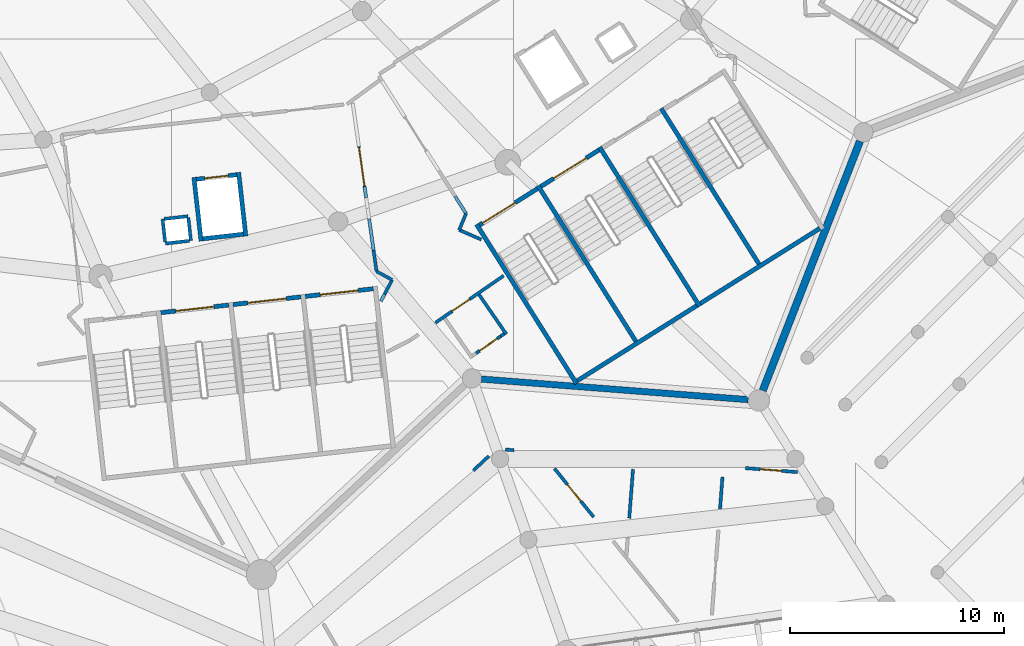
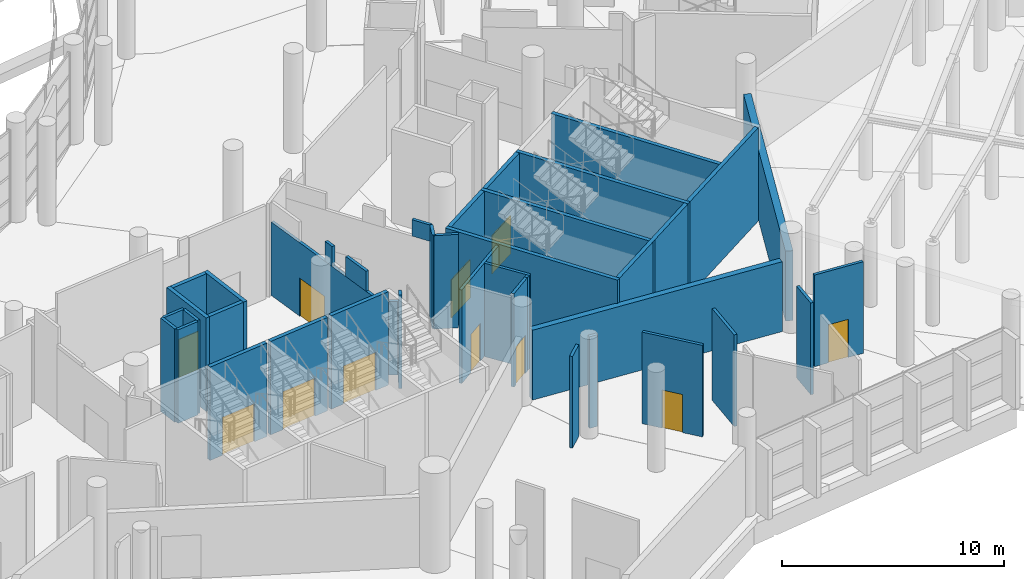
# One storey, part 172 of 271: 40 walls, 11 doors, 11 openings.
"""IFC4 building model written with IfcOpenShell, lengths in metres."""

from ifc_helpers import new_model, si_unit, direction, frame, frame_2d, origin, place, context, subcontext, project, spatial, rectangle, extrude, material, layer, layer_set, type_object, element, fill, save


model = new_model("IFC4")

# Units and contexts
model_context = context("Model", 3, precision=1e-05, world=origin(), true_north=direction((0.0, 1.0)))
body_context = subcontext(model_context, "Body", "Model", "MODEL_VIEW")
ifc_project = project(units=[si_unit("LENGTHUNIT", "METRE"), si_unit("AREAUNIT", "SQUARE_METRE"), si_unit("VOLUMEUNIT", "CUBIC_METRE"), si_unit("PLANEANGLEUNIT", "RADIAN"), si_unit("MASSUNIT", "GRAM", prefix="KILO")], contexts=[model_context])

# Site, building, storey
site_placement = place(None, origin())
site = spatial("IfcSite", under=ifc_project, at=site_placement, CompositionType="ELEMENT")
building_placement = place(site_placement, origin())
building = spatial("IfcBuilding", under=site, at=building_placement, Name="Meseta Stadium", CompositionType="ELEMENT")
storey_placement = place(building_placement, frame((0.0, 0.0, 6.5)))
storey = spatial("IfcBuildingStorey", under=building, at=storey_placement, Name="L01", CompositionType="ELEMENT", Elevation=6.5)

# Walls
ifc_material_1 = material(Name="Concrete C40/50", Category="concrete")
ifc_layer_1 = layer(ifc_material_1, 0.199951171875)
ifc_layer_set_1 = layer_set([ifc_layer_1], Name="Core divider wall 200")
wall_type_1 = type_object("IfcWallType", Name="Core divider wall 200", PredefinedType="SHEAR", material=ifc_layer_set_1)
wall_1_placement = place(storey_placement, frame((69.8291015625, -94.314453125, 0.0), z_axis=(0.0, 0.0, 1.0), x_axis=(-0.532032334759, 0.846724036963, 0.0)))
element("IfcWall", 1, at=wall_1_placement, inside=storey, type_object=wall_type_1, Name="Core 27 L01 stair A divider wall", PredefinedType="SHEAR", context=body_context, shape_type="SweptSolid", body=[
    extrude(rectangle(XDim=8.800048828125, YDim=0.199951171875, at=frame_2d((4.39990234375, 0.0))), origin(), (0.0, 0.0, 1.0), 5.14990234375),
])
wall_2_placement = place(storey_placement, frame((75.5869140625, -90.696533203125, 0.0), z_axis=(0.0, 0.0, 1.0), x_axis=(-0.532044832901, 0.846716183726, 0.0)))
element("IfcWall", 2, at=wall_2_placement, inside=storey, type_object=wall_type_1, Name="Core 27 L01 stair B divider wall", PredefinedType="SHEAR", context=body_context, shape_type="SweptSolid", body=[
    extrude(rectangle(XDim=8.7998046875, YDim=0.199951171875, at=frame_2d((4.39990234375, 0.0))), origin(), (0.0, 0.0, 1.0), 5.14990234375),
])

# Wall, opening, door
ifc_material_2 = material(Name="Concrete C40/50", Category="concrete")
ifc_layer_2 = layer(ifc_material_2, 0.199951171875)
ifc_layer_set_2 = layer_set([ifc_layer_2], Name="Core shaft wall 200")
wall_type_2 = type_object("IfcWallType", Name="Core shaft wall 200", PredefinedType="SHEAR", material=ifc_layer_set_2)
wall_3_placement = place(storey_placement, frame((47.501708984375, -92.801025390625, 0.0), z_axis=(0.0, 0.0, 1.0), x_axis=(0.993707560215, 0.112005735442, 0.0)))
wall_3 = element("IfcWall", 3, at=wall_3_placement, inside=storey, type_object=wall_type_2, Name="Core 26 L01 stair A2 inner end wall", PredefinedType="SHEAR", context=body_context, shape_type="SweptSolid", body=[
    extrude(rectangle(XDim=3.19970703125, YDim=0.199951171875, at=frame_2d((1.599853515625, 0.0))), origin(), (0.0, 0.0, 1.0), 5.14990234375),
])
opening_1_placement = place(wall_3_placement, frame((0.699951171875, 0.0, 0.0)))
opening_1 = element("IfcOpeningElement", 4, at=opening_1_placement, cuts=wall_3, Name="Opening D350", PredefinedType="OPENING", context=body_context, shape_type="SweptSolid", body=[
    extrude(rectangle(XDim=1.800048828125, YDim=2.10009765625, at=frame_2d((0.89990234375, 1.050048828125))), frame((0.0, 0.10986328125, 0.0), z_axis=(0.0, -1.0, 0.0), x_axis=(1.0, 0.0, 0.0)), (0.0, 0.0, 1.0), 0.219970703125),
])
ifc_material_3 = material(Name="Steel", Category="steel")
door_type_1 = type_object("IfcDoorType", Name="Stair door 1800x2100", OperationType="DOUBLE_DOOR_SINGLE_SWING", PredefinedType="DOOR", material=ifc_material_3)
door_1_placement = place(opening_1_placement, origin())
door_1 = element("IfcDoor", 5, at=door_1_placement, inside=storey, type_object=door_type_1, Name="Stair A2 door 26 L01", OperationType="DOUBLE_DOOR_SINGLE_SWING", OverallHeight=2.10009765625, OverallWidth=1.800048828125, PredefinedType="DOOR", context=body_context, shape_type="SweptSolid", body=[
    extrude(rectangle(XDim=1.800048828125, YDim=2.10009765625, at=frame_2d((0.89990234375, 1.050048828125))), frame((0.0, 0.02490234375, 0.0), z_axis=(0.0, -1.0, 0.0), x_axis=(1.0, 0.0, 0.0)), (0.0, 0.0, 1.0), 0.050048828125),
])
fill(opening_1, door_1)

wall_4_placement = place(storey_placement, frame((50.88037109375, -92.42041015625, 0.0), z_axis=(0.0, 0.0, 1.0), x_axis=(0.993707560215, 0.112005735442, 0.0)))
wall_4 = element("IfcWall", 6, at=wall_4_placement, inside=storey, type_object=wall_type_2, Name="Core 26 L01 stair B1 inner end wall", PredefinedType="SHEAR", context=body_context, shape_type="SweptSolid", body=[
    extrude(rectangle(XDim=3.19970703125, YDim=0.199951171875, at=frame_2d((1.599853515625, 0.0))), origin(), (0.0, 0.0, 1.0), 5.14990234375),
])
opening_2_placement = place(wall_4_placement, frame((0.699951171875, 0.0, 0.0)))
opening_2 = element("IfcOpeningElement", 7, at=opening_2_placement, cuts=wall_4, Name="Opening D351", PredefinedType="OPENING", context=body_context, shape_type="SweptSolid", body=[
    extrude(rectangle(XDim=1.800048828125, YDim=2.10009765625, at=frame_2d((0.89990234375, 1.050048828125))), frame((0.0, 0.10986328125, 0.0), z_axis=(0.0, -1.0, 0.0), x_axis=(1.0, 0.0, 0.0)), (0.0, 0.0, 1.0), 0.219970703125),
])
door_2_placement = place(opening_2_placement, origin())
door_2 = element("IfcDoor", 8, at=door_2_placement, inside=storey, type_object=door_type_1, Name="Stair B1 door 26 L01", OperationType="DOUBLE_DOOR_SINGLE_SWING", OverallHeight=2.10009765625, OverallWidth=1.800048828125, PredefinedType="DOOR", context=body_context, shape_type="SweptSolid", body=[
    extrude(rectangle(XDim=1.800048828125, YDim=2.10009765625, at=frame_2d((0.89990234375, 1.050048828125))), frame((0.0, 0.02490234375, 0.0), z_axis=(0.0, -1.0, 0.0), x_axis=(1.0, 0.0, 0.0)), (0.0, 0.0, 1.0), 0.050048828125),
])
fill(opening_2, door_2)

wall_5_placement = place(storey_placement, frame((54.2587890625, -92.03955078125, 0.0), z_axis=(0.0, 0.0, 1.0), x_axis=(0.993717005286, 0.11192190762, 0.0)))
wall_5 = element("IfcWall", 9, at=wall_5_placement, inside=storey, type_object=wall_type_2, Name="Core 26 L01 stair B2 inner end wall", PredefinedType="SHEAR", context=body_context, shape_type="SweptSolid", body=[
    extrude(rectangle(XDim=3.199951171875, YDim=0.199951171875, at=frame_2d((1.60009765625, 0.0))), origin(), (0.0, 0.0, 1.0), 5.14990234375),
])
opening_3_placement = place(wall_5_placement, frame((0.699951171875, 0.0, 0.0)))
opening_3 = element("IfcOpeningElement", 10, at=opening_3_placement, cuts=wall_5, Name="Opening D352", PredefinedType="OPENING", context=body_context, shape_type="SweptSolid", body=[
    extrude(rectangle(XDim=1.800048828125, YDim=2.10009765625, at=frame_2d((0.89990234375, 1.050048828125))), frame((0.0, 0.10986328125, 0.0), z_axis=(0.0, -1.0, 0.0), x_axis=(1.0, 0.0, 0.0)), (0.0, 0.0, 1.0), 0.219970703125),
])
door_3_placement = place(opening_3_placement, origin())
door_3 = element("IfcDoor", 11, at=door_3_placement, inside=storey, type_object=door_type_1, Name="Stair B2 door 26 L01", OperationType="DOUBLE_DOOR_SINGLE_SWING", OverallHeight=2.10009765625, OverallWidth=1.800048828125, PredefinedType="DOOR", context=body_context, shape_type="SweptSolid", body=[
    extrude(rectangle(XDim=1.800048828125, YDim=2.10009765625, at=frame_2d((0.89990234375, 1.050048828125))), frame((0.0, 0.02490234375, 0.0), z_axis=(0.0, -1.0, 0.0), x_axis=(1.0, 0.0, 0.0)), (0.0, 0.0, 1.0), 0.050048828125),
])
fill(opening_3, door_3)

# Walls
for number, where, z_axis, x_axis, name in (
    (12, (49.388671875, -89.45361328125, 0.0), (0.0, 0.0, 1.0), (-0.111976588553, 0.993710845073, 0.0), "Core 26 L01 lift shaft wall left"),
    (13, (51.4755859375, -89.218505859375, 0.0), (0.0, 0.0, 1.0), (-0.111976588553, 0.993710845073, 0.0), "Core 26 L01 lift shaft wall right"),
):
    element("IfcWall", number, at=place(storey_placement, frame(where, z_axis=z_axis, x_axis=x_axis)), inside=storey, type_object=wall_type_2, Name=name, PredefinedType="SHEAR", context=body_context, shape_type="SweptSolid", body=[
        extrude(rectangle(XDim=3.0, YDim=0.199951171875, at=frame_2d((1.5, 0.0))), origin(), (0.0, 0.0, 1.0), 5.14990234375),
    ])
wall_6_placement = place(storey_placement, frame((49.476806640625, -89.343017578125, 0.0), z_axis=(0.0, 0.0, 1.0), x_axis=(0.993718105662, 0.11191213732, 0.0)))
element("IfcWall", 14, at=wall_6_placement, inside=storey, type_object=wall_type_2, Name="Core 26 L01 lift shaft back wall", PredefinedType="SHEAR", context=body_context, shape_type="SweptSolid", body=[
    extrude(rectangle(XDim=1.900146484375, YDim=0.199951171875, at=frame_2d((0.9501953125, 0.0))), origin(), (0.0, 0.0, 1.0), 5.14990234375),
])

# Wall, opening, door
wall_7_placement = place(storey_placement, frame((49.163330078125, -86.560791015625, 0.0), z_axis=(0.0, 0.0, 1.0), x_axis=(0.993703808847, 0.112039012324, 0.0)))
wall_7 = element("IfcWall", 15, at=wall_7_placement, inside=storey, type_object=wall_type_2, Name="Core 26 L01 lift shaft front wall", PredefinedType="SHEAR", context=body_context, shape_type="SweptSolid", body=[
    extrude(rectangle(XDim=1.900146484375, YDim=0.199951171875, at=frame_2d((0.9501953125, 0.0))), origin(), (0.0, 0.0, 1.0), 5.14990234375),
])
opening_4_placement = place(wall_7_placement, frame((0.39990234375, 0.0, 0.0)))
opening_4 = element("IfcOpeningElement", 16, at=opening_4_placement, cuts=wall_7, Name="Opening LD143", PredefinedType="OPENING", context=body_context, shape_type="SweptSolid", body=[
    extrude(rectangle(XDim=1.10009765625, YDim=2.10009765625, at=frame_2d((0.550048828125, 1.050048828125))), frame((0.0, 0.10986328125, 0.0), z_axis=(0.0, -1.0, 0.0), x_axis=(1.0, 0.0, 0.0)), (0.0, 0.0, 1.0), 0.219970703125),
])
ifc_material_4 = material(Name="Steel", Category="steel")
door_type_2 = type_object("IfcDoorType", Name="Lift landing door 1100x2100", OperationType="SLIDING_TO_LEFT", PredefinedType="DOOR", material=ifc_material_4)
door_4_placement = place(opening_4_placement, origin())
door_4 = element("IfcDoor", 17, at=door_4_placement, inside=storey, type_object=door_type_2, Name="Lift landing door LD143", OperationType="SLIDING_TO_LEFT", OverallHeight=2.10009765625, OverallWidth=1.10009765625, PredefinedType="DOOR", context=body_context, shape_type="SweptSolid", body=[
    extrude(rectangle(XDim=1.10009765625, YDim=2.10009765625, at=frame_2d((0.550048828125, 1.050048828125))), frame((0.0, 0.02490234375, 0.0), z_axis=(0.0, -1.0, 0.0), x_axis=(1.0, 0.0, 0.0)), (0.0, 0.0, 1.0), 0.050048828125),
])
fill(opening_4, door_4)

# Walls
for number, where, z_axis, x_axis, name in (
    (18, (66.9501953125, -96.123291015625, 0.0), (0.0, 0.0, 1.0), (-0.532032334759, 0.846724036963, 0.0), "Core 27 L01 stair wall A-side"),
    (19, (72.7080078125, -92.505615234375, 0.0), (0.0, 0.0, 1.0), (-0.532032334759, 0.846724036963, 0.0), "Core 27 L01 stair wall shared"),
):
    element("IfcWall", number, at=place(storey_placement, frame(where, z_axis=z_axis, x_axis=x_axis)), inside=storey, type_object=wall_type_2, Name=name, PredefinedType="SHEAR", context=body_context, shape_type="SweptSolid", body=[
        extrude(rectangle(XDim=8.800048828125, YDim=0.199951171875, at=frame_2d((4.39990234375, 0.0))), origin(), (0.0, 0.0, 1.0), 5.14990234375),
    ])
for number, where, z_axis, x_axis, name in (
    (20, (66.981689453125, -95.985595703125, 0.0), (0.0, 0.0, 1.0), (0.846719870989, 0.532038964807, 0.0), "Core 27 L01 stair A outer end wall"),
    (21, (72.739501953125, -92.36767578125, 0.0), (0.0, 0.0, 1.0), (0.846719870989, 0.532038964807, 0.0), "Core 27 L01 stair B outer end wall"),
):
    element("IfcWall", number, at=place(storey_placement, frame(where, z_axis=z_axis, x_axis=x_axis)), inside=storey, type_object=wall_type_2, Name=name, PredefinedType="SHEAR", context=body_context, shape_type="SweptSolid", body=[
        extrude(rectangle(XDim=6.60009765625, YDim=0.199951171875, at=frame_2d((3.300048828125, 0.0))), origin(), (0.0, 0.0, 1.0), 5.14990234375),
    ])

# Wall, opening, door
wall_8_placement = place(storey_placement, frame((62.40625, -88.70361328125, 0.0), z_axis=(0.0, 0.0, 1.0), x_axis=(0.846735733015, 0.532013720158, 0.0)))
wall_8 = element("IfcWall", 22, at=wall_8_placement, inside=storey, type_object=wall_type_2, Name="Core 27 L01 stair A1 inner end wall", PredefinedType="SHEAR", context=body_context, shape_type="SweptSolid", body=[
    extrude(rectangle(XDim=3.199951171875, YDim=0.199951171875, at=frame_2d((1.60009765625, 0.0))), origin(), (0.0, 0.0, 1.0), 5.14990234375),
])
opening_5_placement = place(wall_8_placement, frame((0.177978515625, 0.0, 0.0)))
opening_5 = element("IfcOpeningElement", 23, at=opening_5_placement, cuts=wall_8, Name="Opening D361", PredefinedType="OPENING", context=body_context, shape_type="SweptSolid", body=[
    extrude(rectangle(XDim=1.800048828125, YDim=2.10009765625, at=frame_2d((0.89990234375, 1.050048828125))), frame((0.0, 0.10986328125, 0.0), z_axis=(0.0, -1.0, 0.0), x_axis=(1.0, 0.0, 0.0)), (0.0, 0.0, 1.0), 0.219970703125),
])
door_5_placement = place(opening_5_placement, origin())
door_5 = element("IfcDoor", 24, at=door_5_placement, inside=storey, type_object=door_type_1, Name="Stair A1 door 27 L01", OperationType="DOUBLE_DOOR_SINGLE_SWING", OverallHeight=2.10009765625, OverallWidth=1.800048828125, PredefinedType="DOOR", context=body_context, shape_type="SweptSolid", body=[
    extrude(rectangle(XDim=1.800048828125, YDim=2.10009765625, at=frame_2d((0.89990234375, 1.050048828125))), frame((0.0, 0.02490234375, 0.0), z_axis=(0.0, -1.0, 0.0), x_axis=(1.0, 0.0, 0.0)), (0.0, 0.0, 1.0), 0.050048828125),
])
fill(opening_5, door_5)

wall_9_placement = place(storey_placement, frame((65.28515625, -86.894775390625, 0.0), z_axis=(0.0, 0.0, 1.0), x_axis=(0.846735733015, 0.532013720158, 0.0)))
wall_9 = element("IfcWall", 25, at=wall_9_placement, inside=storey, type_object=wall_type_2, Name="Core 27 L01 stair A2 inner end wall", PredefinedType="SHEAR", context=body_context, shape_type="SweptSolid", body=[
    extrude(rectangle(XDim=3.199951171875, YDim=0.199951171875, at=frame_2d((1.60009765625, 0.0))), origin(), (0.0, 0.0, 1.0), 5.14990234375),
])
opening_6_placement = place(wall_9_placement, frame((0.699951171875, 0.0, 0.0)))
opening_6 = element("IfcOpeningElement", 26, at=opening_6_placement, cuts=wall_9, Name="Opening D362", PredefinedType="OPENING", context=body_context, shape_type="SweptSolid", body=[
    extrude(rectangle(XDim=1.800048828125, YDim=2.10009765625, at=frame_2d((0.89990234375, 1.050048828125))), frame((0.0, 0.10986328125, 0.0), z_axis=(0.0, -1.0, 0.0), x_axis=(1.0, 0.0, 0.0)), (0.0, 0.0, 1.0), 0.219970703125),
])
door_6_placement = place(opening_6_placement, origin())
door_6 = element("IfcDoor", 27, at=door_6_placement, inside=storey, type_object=door_type_1, Name="Stair A2 door 27 L01", OperationType="DOUBLE_DOOR_SINGLE_SWING", OverallHeight=2.10009765625, OverallWidth=1.800048828125, PredefinedType="DOOR", context=body_context, shape_type="SweptSolid", body=[
    extrude(rectangle(XDim=1.800048828125, YDim=2.10009765625, at=frame_2d((0.89990234375, 1.050048828125))), frame((0.0, 0.02490234375, 0.0), z_axis=(0.0, -1.0, 0.0), x_axis=(1.0, 0.0, 0.0)), (0.0, 0.0, 1.0), 0.050048828125),
])
fill(opening_6, door_6)

ifc_material_5 = material(Name="Masonry blockwork", Category="masonry")
ifc_layer_3 = layer(ifc_material_5, 0.14990234375)
ifc_layer_set_3 = layer_set([ifc_layer_3], Name="Partition 150")
wall_type_3 = type_object("IfcWallType", Name="Partition 150", PredefinedType="PARTITIONING", material=ifc_layer_set_3)
wall_10_placement = place(storey_placement, frame((60.348388671875, -93.272216796875, 0.0), z_axis=(0.0, 0.0, 1.0), x_axis=(0.823118384127, 0.567869814053, 0.0)))
wall_10 = element("IfcWall", 28, at=wall_10_placement, inside=storey, type_object=wall_type_3, Name="Partition L01 L01-cell25-2-0", PredefinedType="PARTITIONING", context=body_context, shape_type="SweptSolid", body=[
    extrude(rectangle(XDim=3.876708984375, YDim=0.14990234375, at=frame_2d((1.9384765625, 0.0))), origin(), (0.0, 0.0, 1.0), 5.14990234375),
])
opening_7_placement = place(wall_10_placement, frame((0.949951171875, 0.0, 0.0)))
opening_7 = element("IfcOpeningElement", 29, at=opening_7_placement, cuts=wall_10, Name="Opening D676", PredefinedType="OPENING", context=body_context, shape_type="SweptSolid", body=[
    extrude(rectangle(XDim=1.0, YDim=2.10009765625, at=frame_2d((0.5, 1.050048828125))), frame((0.0, 0.0849609375, 0.0), z_axis=(0.0, -1.0, 0.0), x_axis=(1.0, 0.0, 0.0)), (0.0, 0.0, 1.0), 0.169921875),
])
ifc_material_6 = material(Name="Steel", Category="steel")
door_type_3 = type_object("IfcDoorType", Name="Fire door 1000x2100 EI2 60", OperationType="NOTDEFINED", PredefinedType="DOOR", material=ifc_material_6)
door_7_placement = place(opening_7_placement, origin())
door_7 = element("IfcDoor", 30, at=door_7_placement, inside=storey, type_object=door_type_3, Name="Door D676", OperationType="SINGLE_SWING_LEFT", OverallHeight=2.10009765625, OverallWidth=1.0, PredefinedType="DOOR", context=body_context, shape_type="SweptSolid", body=[
    extrude(rectangle(XDim=1.0, YDim=2.10009765625, at=frame_2d((0.5, 1.050048828125))), frame((0.0, 0.02490234375, 0.0), z_axis=(0.0, -1.0, 0.0), x_axis=(1.0, 0.0, 0.0)), (0.0, 0.0, 1.0), 0.050048828125),
])
fill(opening_7, door_7)

# Wall
wall_11_placement = place(storey_placement, frame((69.58837890625, -100.12451171875, 0.0), z_axis=(0.0, 0.0, 1.0), x_axis=(-0.076842793835, -0.997043221248, 0.0)))
element("IfcWall", 31, at=wall_11_placement, inside=storey, type_object=wall_type_3, Name="Partition L01 L01-ring25-0a", PredefinedType="PARTITIONING", context=body_context, shape_type="SweptSolid", body=[
    extrude(rectangle(XDim=2.297119140625, YDim=0.14990234375, at=frame_2d((1.1484375, 0.0))), origin(), (0.0, 0.0, 1.0), 5.050048828125),
])

# Wall, opening, door
wall_12_placement = place(storey_placement, frame((67.7451171875, -102.35693359375, 0.0), z_axis=(0.0, 0.0, 1.0), x_axis=(-0.627999686033, 0.778213591723, 0.0)))
wall_12 = element("IfcWall", 32, at=wall_12_placement, inside=storey, type_object=wall_type_3, Name="Partition L01 L01-ring25-0a", PredefinedType="PARTITIONING", context=body_context, shape_type="SweptSolid", body=[
    extrude(rectangle(XDim=2.9140625, YDim=0.14990234375, at=frame_2d((1.45703125, 0.0))), origin(), (0.0, 0.0, 1.0), 5.050048828125),
])
opening_8_placement = place(wall_12_placement, frame((0.949951171875, 0.0, 0.0)))
opening_8 = element("IfcOpeningElement", 33, at=opening_8_placement, cuts=wall_12, Name="Opening D702", PredefinedType="OPENING", context=body_context, shape_type="SweptSolid", body=[
    extrude(rectangle(XDim=1.0, YDim=2.10009765625, at=frame_2d((0.5, 1.050048828125))), frame((0.0, 0.0849609375, 0.0), z_axis=(0.0, -1.0, 0.0), x_axis=(1.0, 0.0, 0.0)), (0.0, 0.0, 1.0), 0.169921875),
])
ifc_material_7 = material(Name="Timber", Category="wood")
door_type_4 = type_object("IfcDoorType", Name="Room door 1000x2100", OperationType="NOTDEFINED", PredefinedType="DOOR", material=ifc_material_7)
door_8_placement = place(opening_8_placement, origin())
door_8 = element("IfcDoor", 34, at=door_8_placement, inside=storey, type_object=door_type_4, Name="Door D702", OperationType="SINGLE_SWING_RIGHT", OverallHeight=2.10009765625, OverallWidth=1.0, PredefinedType="DOOR", context=body_context, shape_type="SweptSolid", body=[
    extrude(rectangle(XDim=1.0, YDim=2.10009765625, at=frame_2d((0.5, 1.050048828125))), frame((0.0, 0.02490234375, 0.0), z_axis=(0.0, -1.0, 0.0), x_axis=(1.0, 0.0, 0.0)), (0.0, 0.0, 1.0), 0.050048828125),
])
fill(opening_8, door_8)

# Wall
wall_13_placement = place(storey_placement, frame((73.77294921875, -100.486572265625, 0.0), z_axis=(0.0, 0.0, 1.0), x_axis=(-0.076921295025, -0.997037167999, 0.0)))
element("IfcWall", 35, at=wall_13_placement, inside=storey, type_object=wall_type_3, Name="Partition L01 L01-ring25-0b1", PredefinedType="PARTITIONING", context=body_context, shape_type="SweptSolid", body=[
    extrude(rectangle(XDim=1.494873046875, YDim=0.14990234375, at=frame_2d((0.74755859375, 0.0))), origin(), (0.0, 0.0, 1.0), 5.050048828125),
])

# Wall, opening, door
wall_14_placement = place(storey_placement, frame((74.839111328125, -100.069091796875, 0.0), z_axis=(0.0, 0.0, 1.0), x_axis=(0.997040998255, -0.076871631944, 0.0)))
wall_14 = element("IfcWall", 36, at=wall_14_placement, inside=storey, type_object=wall_type_3, Name="Partition L01 L01-ring25-0b2", PredefinedType="PARTITIONING", context=body_context, shape_type="SweptSolid", body=[
    extrude(rectangle(XDim=2.451904296875, YDim=0.14990234375, at=frame_2d((1.22607421875, 0.0))), origin(), (0.0, 0.0, 1.0), 5.050048828125),
])
opening_9_placement = place(wall_14_placement, frame((0.699951171875, 0.0, 0.0)))
opening_9 = element("IfcOpeningElement", 37, at=opening_9_placement, cuts=wall_14, Name="Opening D704", PredefinedType="OPENING", context=body_context, shape_type="SweptSolid", body=[
    extrude(rectangle(XDim=1.0, YDim=2.10009765625, at=frame_2d((0.5, 1.050048828125))), frame((0.0, 0.0849609375, 0.0), z_axis=(0.0, -1.0, 0.0), x_axis=(1.0, 0.0, 0.0)), (0.0, 0.0, 1.0), 0.169921875),
])
door_9_placement = place(opening_9_placement, origin())
door_9 = element("IfcDoor", 38, at=door_9_placement, inside=storey, type_object=door_type_4, Name="Door D704", OperationType="SINGLE_SWING_RIGHT", OverallHeight=2.10009765625, OverallWidth=1.0, PredefinedType="DOOR", context=body_context, shape_type="SweptSolid", body=[
    extrude(rectangle(XDim=1.0, YDim=2.10009765625, at=frame_2d((0.5, 1.050048828125))), frame((0.0, 0.02490234375, 0.0), z_axis=(0.0, -1.0, 0.0), x_axis=(1.0, 0.0, 0.0)), (0.0, 0.0, 1.0), 0.050048828125),
])
fill(opening_9, door_9)

# Walls
wall_15_placement = place(storey_placement, frame((62.123046875, -100.180419921875, 0.0), z_axis=(0.0, 0.0, 1.0), x_axis=(0.731655638736, 0.681674428379, 0.0)))
element("IfcWall", 39, at=wall_15_placement, inside=storey, type_object=wall_type_3, Name="Partition L01 L01-ring25-0w", PredefinedType="PARTITIONING", context=body_context, shape_type="SweptSolid", body=[
    extrude(rectangle(XDim=0.98681640625, YDim=0.14990234375, at=frame_2d((0.493408203125, 0.0))), origin(), (0.0, 0.0, 1.0), 5.050048828125),
])
wall_16_placement = place(storey_placement, frame((63.61572265625, -99.202880859375, 0.0), z_axis=(0.0, 0.0, 1.0), x_axis=(0.997012395214, -0.07724172311, 0.0)))
element("IfcWall", 40, at=wall_16_placement, inside=storey, type_object=wall_type_3, Name="Partition L01 L01-ring25-0w", PredefinedType="PARTITIONING", context=body_context, shape_type="SweptSolid", body=[
    extrude(rectangle(XDim=0.410888671875, YDim=0.14990234375, at=frame_2d((0.20556640625, 0.0))), origin(), (0.0, 0.0, 1.0), 5.050048828125),
])
wall_17_placement = place(storey_placement, frame((47.7158203125, -89.566650390625, 0.0), z_axis=(0.0, 0.0, 1.0), x_axis=(0.993710504932, 0.11197960702, 0.0)))
element("IfcWall", 41, at=wall_17_placement, inside=storey, type_object=wall_type_3, Name="Pressurisation shaft wall L01 core 26", PredefinedType="PARTITIONING", context=body_context, shape_type="SweptSolid", body=[
    extrude(rectangle(XDim=1.125, YDim=0.14990234375, at=frame_2d((0.5625, 0.0))), origin(), (0.0, 0.0, 1.0), 5.14990234375),
])
wall_18_placement = place(storey_placement, frame((48.908203125, -89.432373046875, 0.0), z_axis=(0.0, 0.0, 1.0), x_axis=(-0.111951742856, 0.993713644503, 0.0)))
element("IfcWall", 42, at=wall_18_placement, inside=storey, type_object=wall_type_3, Name="Pressurisation shaft wall L01 core 26", PredefinedType="PARTITIONING", context=body_context, shape_type="SweptSolid", body=[
    extrude(rectangle(XDim=1.0751953125, YDim=0.14990234375, at=frame_2d((0.53759765625, 0.0))), origin(), (0.0, 0.0, 1.0), 5.14990234375),
])
wall_19_placement = place(storey_placement, frame((48.779541015625, -88.28955078125, 0.0), z_axis=(0.0, 0.0, 1.0), x_axis=(-0.993710504932, -0.11197960702, 0.0)))
element("IfcWall", 43, at=wall_19_placement, inside=storey, type_object=wall_type_3, Name="Pressurisation shaft wall L01 core 26", PredefinedType="PARTITIONING", context=body_context, shape_type="SweptSolid", body=[
    extrude(rectangle(XDim=1.125, YDim=0.14990234375, at=frame_2d((0.5625, 0.0))), origin(), (0.0, 0.0, 1.0), 5.14990234375),
])
wall_20_placement = place(storey_placement, frame((47.587158203125, -88.423828125, 0.0), z_axis=(0.0, 0.0, 1.0), x_axis=(0.111951742856, -0.993713644503, 0.0)))
element("IfcWall", 44, at=wall_20_placement, inside=storey, type_object=wall_type_3, Name="Pressurisation shaft wall L01 core 26", PredefinedType="PARTITIONING", context=body_context, shape_type="SweptSolid", body=[
    extrude(rectangle(XDim=1.0751953125, YDim=0.14990234375, at=frame_2d((0.53759765625, 0.0))), origin(), (0.0, 0.0, 1.0), 5.14990234375),
])
wall_21_placement = place(storey_placement, frame((57.7958984375, -92.2646484375, 0.0), z_axis=(0.0, 0.0, 1.0), x_axis=(0.465996305434, 0.884786665429, 0.0)))
element("IfcWall", 45, at=wall_21_placement, inside=storey, type_object=wall_type_3, Name="Stair vestibule wall L01 core 26", PredefinedType="PARTITIONING", context=body_context, shape_type="SweptSolid", body=[
    extrude(rectangle(XDim=1.12744140625, YDim=0.14990234375, at=frame_2d((0.563720703125, 0.0))), origin(), (0.0, 0.0, 1.0), 4.050048828125),
])
wall_22_placement = place(storey_placement, frame((57.7958984375, -92.2646484375, 4.050048828125), z_axis=(0.0, 0.0, 1.0), x_axis=(0.46582676118, 0.884875939648, 0.0)))
element("IfcWall", 46, at=wall_22_placement, inside=storey, type_object=wall_type_3, Name="Stair vestibule wall L01 core 26", PredefinedType="PARTITIONING", context=body_context, shape_type="SweptSolid", body=[
    extrude(rectangle(XDim=0.375732421875, YDim=0.14990234375, at=frame_2d((0.18798828125, 0.0))), origin(), (0.0, 0.0, 1.0), 1.099853515625),
])
wall_23_placement = place(storey_placement, frame((58.3212890625, -91.26708984375, 0.0), z_axis=(0.0, 0.0, 1.0), x_axis=(-0.876804418909, 0.480847180487, 0.0)))
element("IfcWall", 47, at=wall_23_placement, inside=storey, type_object=wall_type_3, Name="Stair vestibule wall L01 core 26", PredefinedType="PARTITIONING", context=body_context, shape_type="SweptSolid", body=[
    extrude(rectangle(XDim=0.8310546875, YDim=0.14990234375, at=frame_2d((0.41552734375, 0.0))), origin(), (0.0, 0.0, 1.0), 4.050048828125),
])

# Wall, opening, door
wall_24_placement = place(storey_placement, frame((57.592529296875, -90.867431640625, 0.0), z_axis=(0.0, 0.0, 1.0), x_axis=(-0.140198547284, 0.990123410156, 0.0)))
wall_24 = element("IfcWall", 48, at=wall_24_placement, inside=storey, type_object=wall_type_3, Name="Stair vestibule wall L01 core 26", PredefinedType="PARTITIONING", context=body_context, shape_type="SweptSolid", body=[
    extrude(rectangle(XDim=7.93896484375, YDim=0.14990234375, at=frame_2d((3.969482421875, 0.0))), origin(), (0.0, 0.0, 1.0), 4.050048828125),
])
opening_10_placement = place(wall_24_placement, frame((4.050048828125, 0.0, 0.0)))
opening_10 = element("IfcOpeningElement", 49, at=opening_10_placement, cuts=wall_24, Name="Opening D806", PredefinedType="OPENING", context=body_context, shape_type="SweptSolid", body=[
    extrude(rectangle(XDim=1.800048828125, YDim=2.10009765625, at=frame_2d((0.89990234375, 1.050048828125))), frame((0.0, 0.0849609375, 0.0), z_axis=(0.0, -1.0, 0.0), x_axis=(1.0, 0.0, 0.0)), (0.0, 0.0, 1.0), 0.169921875),
])
ifc_material_8 = material(Name="Steel", Category="steel")
door_type_5 = type_object("IfcDoorType", Name="Fire double door 1800x2100 EI2 60", OperationType="DOUBLE_DOOR_SINGLE_SWING", PredefinedType="DOOR", material=ifc_material_8)
door_10_placement = place(opening_10_placement, origin())
door_10 = element("IfcDoor", 50, at=door_10_placement, inside=storey, type_object=door_type_5, Name="Stair vestibule door L01 core 26", OperationType="DOUBLE_DOOR_SINGLE_SWING", OverallHeight=2.10009765625, OverallWidth=1.800048828125, PredefinedType="DOOR", context=body_context, shape_type="SweptSolid", body=[
    extrude(rectangle(XDim=1.800048828125, YDim=2.10009765625, at=frame_2d((0.89990234375, 1.050048828125))), frame((0.0, 0.02490234375, 0.0), z_axis=(0.0, -1.0, 0.0), x_axis=(1.0, 0.0, 0.0)), (0.0, 0.0, 1.0), 0.050048828125),
])
fill(opening_10, door_10)

# Walls
wall_25_placement = place(storey_placement, frame((57.453369140625, -89.885009765625, 4.050048828125), z_axis=(0.0, 0.0, 1.0), x_axis=(-0.140204503897, 0.990122566699, 0.0)))
element("IfcWall", 51, at=wall_25_placement, inside=storey, type_object=wall_type_3, Name="Stair vestibule wall L01 core 26", PredefinedType="PARTITIONING", context=body_context, shape_type="SweptSolid", body=[
    extrude(rectangle(XDim=1.48876953125, YDim=0.14990234375, at=frame_2d((0.744384765625, 0.0))), origin(), (0.0, 0.0, 1.0), 1.099853515625),
])
wall_26_placement = place(storey_placement, frame((61.269287109375, -87.362060546875, 4.25), z_axis=(0.0, 0.0, 1.0), x_axis=(0.535345397356, -0.844633237287, 0.0)))
element("IfcWall", 52, at=wall_26_placement, inside=storey, type_object=wall_type_3, Name="Stair vestibule wall L01 core 27", PredefinedType="PARTITIONING", context=body_context, shape_type="SweptSolid", body=[
    extrude(rectangle(XDim=0.950439453125, YDim=0.14990234375, at=frame_2d((0.47509765625, 0.0))), origin(), (0.0, 0.0, 1.0), 0.89990234375),
])
wall_27_placement = place(storey_placement, frame((61.778076171875, -88.164794921875, 0.0), z_axis=(0.0, 0.0, 1.0), x_axis=(-0.386161385203, -0.922431235691, 0.0)))
element("IfcWall", 53, at=wall_27_placement, inside=storey, type_object=wall_type_3, Name="Stair vestibule wall L01 core 27", PredefinedType="PARTITIONING", context=body_context, shape_type="SweptSolid", body=[
    extrude(rectangle(XDim=0.82958984375, YDim=0.14990234375, at=frame_2d((0.414794921875, 0.0))), origin(), (0.0, 0.0, 1.0), 5.14990234375),
])
wall_28_placement = place(storey_placement, frame((61.457763671875, -88.929931640625, 0.0), z_axis=(0.0, 0.0, 1.0), x_axis=(0.916038066632, -0.401091336831, 0.0)))
element("IfcWall", 54, at=wall_28_placement, inside=storey, type_object=wall_type_3, Name="Stair vestibule wall L01 core 27", PredefinedType="PARTITIONING", context=body_context, shape_type="SweptSolid", body=[
    extrude(rectangle(XDim=1.1279296875, YDim=0.14990234375, at=frame_2d((0.56396484375, 0.0))), origin(), (0.0, 0.0, 1.0), 5.14990234375),
])
wall_29_placement = place(storey_placement, frame((62.38720703125, -91.956787109375, 0.0), z_axis=(0.0, 0.0, 1.0), x_axis=(0.567877492691, -0.823113086578, 0.0)))
element("IfcWall", 55, at=wall_29_placement, inside=storey, type_object=wall_type_3, Name="Partition L01 L01-cell25-2-0 vestibule", PredefinedType="PARTITIONING", context=body_context, shape_type="SweptSolid", body=[
    extrude(rectangle(XDim=2.249755859375, YDim=0.14990234375, at=frame_2d((1.125, 0.0))), origin(), (0.0, 0.0, 1.0), 5.14990234375),
])

# Wall, opening, door
wall_30_placement = place(storey_placement, frame((62.24365234375, -94.6982421875, 0.0), z_axis=(0.0, 0.0, 1.0), x_axis=(0.823145326685, 0.567830759256, 0.0)))
wall_30 = element("IfcWall", 56, at=wall_30_placement, inside=storey, type_object=wall_type_3, Name="Partition L01 L01-cell25-2-0 vestibule", PredefinedType="PARTITIONING", context=body_context, shape_type="SweptSolid", body=[
    extrude(rectangle(XDim=1.39990234375, YDim=0.14990234375, at=frame_2d((0.699951171875, 0.0))), origin(), (0.0, 0.0, 1.0), 5.14990234375),
])
opening_11_placement = place(wall_30_placement, frame((0.199951171875, 0.0, 0.0)))
opening_11 = element("IfcOpeningElement", 57, at=opening_11_placement, cuts=wall_30, Name="Opening D918", PredefinedType="OPENING", context=body_context, shape_type="SweptSolid", body=[
    extrude(rectangle(XDim=1.0, YDim=2.10009765625, at=frame_2d((0.5, 1.050048828125))), frame((0.0, 0.0849609375, 0.0), z_axis=(0.0, -1.0, 0.0), x_axis=(1.0, 0.0, 0.0)), (0.0, 0.0, 1.0), 0.169921875),
])
door_11_placement = place(opening_11_placement, origin())
door_11 = element("IfcDoor", 58, at=door_11_placement, inside=storey, type_object=door_type_3, Name="Vestibule door L01 L01-cell25-2-0", OperationType="SINGLE_SWING_LEFT", OverallHeight=2.10009765625, OverallWidth=1.0, PredefinedType="DOOR", context=body_context, shape_type="SweptSolid", body=[
    extrude(rectangle(XDim=1.0, YDim=2.10009765625, at=frame_2d((0.5, 1.050048828125))), frame((0.0, 0.02490234375, 0.0), z_axis=(0.0, -1.0, 0.0), x_axis=(1.0, 0.0, 0.0)), (0.0, 0.0, 1.0), 0.050048828125),
])
fill(opening_11, door_11)

# Walls
wall_31_placement = place(storey_placement, frame((63.39599609375, -93.9033203125, 0.0), z_axis=(0.0, 0.0, 1.0), x_axis=(0.8225435075, 0.568702187678, 0.0)))
element("IfcWall", 59, at=wall_31_placement, inside=storey, type_object=wall_type_3, Name="Partition L01 L01-cell25-2-0 vestibule", PredefinedType="PARTITIONING", context=body_context, shape_type="SweptSolid", body=[
    extrude(rectangle(XDim=0.199951171875, YDim=0.14990234375, at=frame_2d((0.10009765625, 0.0))), origin(), (0.0, 0.0, 1.0), 5.14990234375),
])
wall_32_placement = place(storey_placement, frame((57.10546875, -87.428466796875, 4.050048828125), z_axis=(0.0, 0.0, 1.0), x_axis=(-0.139993461271, 0.990152428064, 0.0)))
element("IfcWall", 60, at=wall_32_placement, inside=storey, type_object=wall_type_3, Name="Stair vestibule wall L01 core 26", PredefinedType="PARTITIONING", context=body_context, shape_type="SweptSolid", body=[
    extrude(rectangle(XDim=0.526611328125, YDim=0.14990234375, at=frame_2d((0.26318359375, 0.0))), origin(), (0.0, 0.0, 1.0), 1.099853515625),
])
ifc_material_9 = material(Name="White precast concrete C40/50", Category="concrete")
ifc_layer_4 = layer(ifc_material_9, 0.300048828125)
ifc_layer_set_4 = layer_set([ifc_layer_4], Name="Pleated panel wall 300 concourse")
wall_type_4 = type_object("IfcWallType", Name="Pleated panel wall 300 concourse", PredefinedType="SOLIDWALL", material=ifc_layer_set_4)
wall_33_placement = place(storey_placement, frame((74.9765625, -96.8701171875, 0.0), z_axis=(0.0, 0.0, 1.0), x_axis=(-0.997035289114, 0.076945644854, 0.0)))
element("IfcWall", 61, at=wall_33_placement, inside=storey, type_object=wall_type_4, Name="Pleated facade panel L01 F51", PredefinedType="SOLIDWALL", context=body_context, shape_type="SweptSolid", body=[
    extrude(rectangle(XDim=12.513916015625, YDim=0.300048828125, at=frame_2d((6.2568359375, 0.0))), origin(), (0.0, 0.0, 1.0), 3.85009765625),
])
ifc_material_10 = material(Name="White precast concrete C40/50", Category="concrete")
ifc_layer_5 = layer(ifc_material_10, 0.35009765625)
ifc_layer_set_5 = layer_set([ifc_layer_5], Name="Pleated panel wall 350 gate")
wall_type_5 = type_object("IfcWallType", Name="Pleated panel wall 350 gate", PredefinedType="SOLIDWALL", material=ifc_layer_set_5)
wall_34_placement = place(storey_placement, frame((80.2021484375, -84.784423828125, 0.0), z_axis=(0.0, 0.0, 1.0), x_axis=(-0.363293457312, -0.931674762927, 0.0)))
element("IfcWall", 62, at=wall_34_placement, inside=storey, type_object=wall_type_5, Name="Pleated facade panel L01 F52", PredefinedType="SOLIDWALL", context=body_context, shape_type="SweptSolid", body=[
    extrude(rectangle(XDim=12.513671875, YDim=0.35009765625, at=frame_2d((6.2568359375, 0.0))), origin(), (0.0, 0.0, 1.0), 3.85009765625),
])

save(model, "model.ifc")
